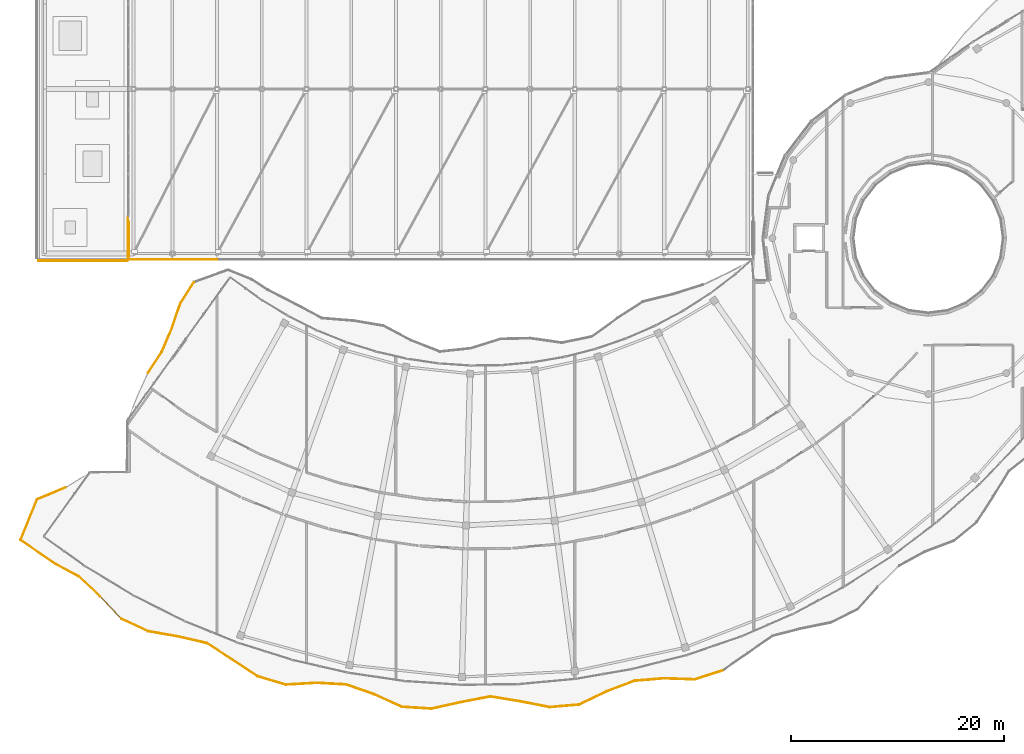
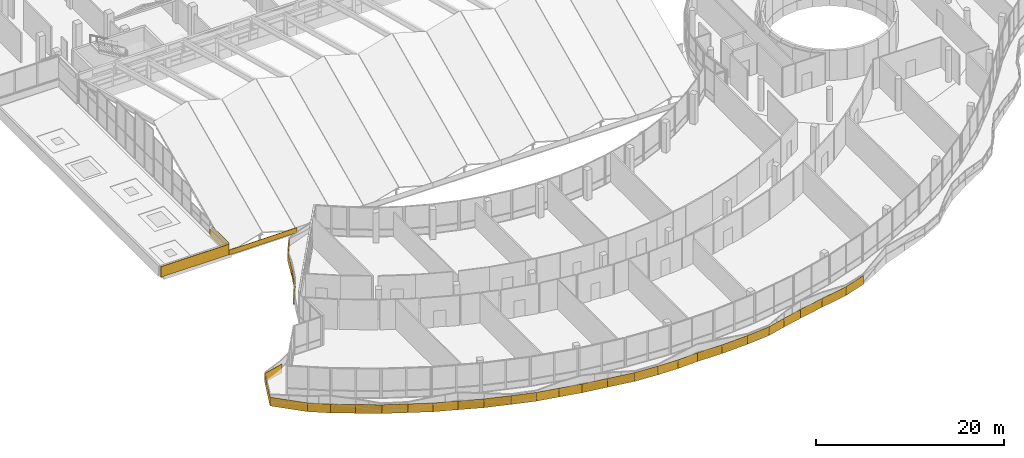
# One storey, part 174 of 184: 35 coverings.
"""IFC4 building model written with IfcOpenShell, lengths in metres."""

from ifc_helpers import new_model, si_unit, direction, frame, origin, origin_2d, place, context, subcontext, project, spatial, polyline, rectangle, outline, extrude, material, layer, layer_set, type_object, element, save


model = new_model("IFC4")

# Units and contexts
model_context = context("Model", 3, precision=1e-05, world=origin(), true_north=direction((0.0, 1.0)))
body_context = subcontext(model_context, "Body", "Model", "MODEL_VIEW")
ifc_project = project(units=[si_unit("LENGTHUNIT", "METRE"), si_unit("AREAUNIT", "SQUARE_METRE"), si_unit("VOLUMEUNIT", "CUBIC_METRE"), si_unit("PLANEANGLEUNIT", "RADIAN"), si_unit("MASSUNIT", "GRAM", prefix="KILO")], contexts=[model_context])

# Site, building, storey
site_placement = place(None, origin())
site = spatial("IfcSite", under=ifc_project, at=site_placement, CompositionType="ELEMENT")
building_placement = place(site_placement, origin())
building = spatial("IfcBuilding", under=site, at=building_placement, Name="Selatvlak General Hospital", CompositionType="ELEMENT")
storey_placement = place(building_placement, frame((0.0, 0.0, 15.0)))
storey = spatial("IfcBuildingStorey", under=building, at=storey_placement, Name="L03", CompositionType="ELEMENT", Elevation=15.0)

# Coverings
ifc_material_1 = material(Name="PVDF aluminium fascia - cobalt blue", Category="aluminium")
ifc_layer_1 = layer(ifc_material_1, 0.070068359375, Name="PVDF aluminium fascia - cobalt blue", Category="aluminium")
ifc_layer_set_1 = layer_set([ifc_layer_1], Name="PVDF aluminium fascia - cobalt blue")
covering_type_1 = type_object("IfcCoveringType", Name="COV-RB-BLU", PredefinedType="CLADDING", material=ifc_layer_set_1)
covering_1_placement = place(storey_placement, frame((29.028076171875, 49.85400390625, -0.216064453125), z_axis=(0.0, 0.0, 1.0), x_axis=(-0.539895278686, -0.841732194972, 0.0)))
element("IfcCovering", 1, at=covering_1_placement, inside=storey, type_object=covering_type_1, Name="L03 De Stijl waving fascia streamer 304", PredefinedType="CLADDING", context=body_context, shape_type="SweptSolid", body=[
    extrude(outline(polyline([(0.0, 0.0), (2.36181640625, -0.0869140625), (2.36181640625, 1.052978515625), (0.0, 1.139892578125), (0.0, 0.0)])), frame((0.0, 0.03515625, 0.0), z_axis=(0.0, -1.0, 0.0), x_axis=(1.0, 0.0, 0.0)), (0.0, 0.0, 1.0), 0.070068359375),
])
covering_2_placement = place(storey_placement, frame((27.7529296875, 47.865966796875, -0.302978515625), z_axis=(0.0, 0.0, 1.0), x_axis=(-0.322641646085, -0.94652119269, 0.0)))
element("IfcCovering", 2, at=covering_2_placement, inside=storey, type_object=covering_type_1, Name="L03 De Stijl waving fascia streamer 305", PredefinedType="CLADDING", context=body_context, shape_type="SweptSolid", body=[
    extrude(outline(polyline([(0.0, 0.0), (2.4638671875, -0.498046875), (2.4638671875, 0.641845703125), (0.0, 1.139892578125), (0.0, 0.0)])), frame((0.0, 0.03515625, 0.0), z_axis=(0.0, -1.0, 0.0), x_axis=(1.0, 0.0, 0.0)), (0.0, 0.0, 1.0), 0.070068359375),
])
covering_3_placement = place(storey_placement, frame((26.9580078125, 45.533935546875, -0.801025390625), z_axis=(0.0, 0.0, 1.0), x_axis=(-0.392772622845, -0.919635616287, 0.0)))
element("IfcCovering", 3, at=covering_3_placement, inside=storey, type_object=covering_type_1, Name="L03 De Stijl waving fascia streamer 306", PredefinedType="CLADDING", context=body_context, shape_type="SweptSolid", body=[
    extrude(outline(polyline([(0.0, 0.0), (2.416015625, -0.365966796875), (2.416015625, 0.77392578125), (0.0, 1.139892578125), (0.0, 0.0)])), frame((0.0, 0.03515625, 0.0), z_axis=(0.0, -1.0, 0.0), x_axis=(1.0, 0.0, 0.0)), (0.0, 0.0, 1.0), 0.070068359375),
])
covering_4_placement = place(storey_placement, frame((26.009033203125, 43.31201171875, -1.1669921875), z_axis=(0.0, 0.0, 1.0), x_axis=(-0.554556879303, -0.832145821126, 0.0)))
element("IfcCovering", 4, at=covering_4_placement, inside=storey, type_object=covering_type_1, Name="L03 De Stijl waving fascia streamer 307", PredefinedType="CLADDING", context=body_context, shape_type="SweptSolid", body=[
    extrude(outline(polyline([(0.0, 0.0), (2.35888671875, 0.238037109375), (2.35888671875, 1.3779296875), (0.0, 1.139892578125), (0.0, 0.0)])), frame((0.0, 0.03515625, 0.0), z_axis=(0.0, -1.0, 0.0), x_axis=(1.0, 0.0, 0.0)), (0.0, 0.0, 1.0), 0.070068359375),
])
covering_5_placement = place(storey_placement, frame((16.987060546875, 30.58203125, -0.60693359375), z_axis=(0.0, 0.0, 1.0), x_axis=(-0.922465971311, -0.386078401072, 0.0)))
element("IfcCovering", 5, at=covering_5_placement, inside=storey, type_object=covering_type_1, Name="L03 De Stijl waving fascia streamer 308", PredefinedType="CLADDING", context=body_context, shape_type="SweptSolid", body=[
    extrude(outline(polyline([(0.0, 0.0), (2.913818359375, 0.4228515625), (2.913818359375, 1.562744140625), (0.0, 1.139892578125), (0.0, 0.0)])), frame((0.0, 0.03515625, 0.0), z_axis=(0.0, -1.0, 0.0), x_axis=(1.0, 0.0, 0.0)), (0.0, 0.0, 1.0), 0.070068359375),
])
covering_6_placement = place(storey_placement, frame((14.301025390625, 29.462890625, -0.18408203125), z_axis=(0.0, 0.0, 1.0), x_axis=(-0.378055982976, -0.925782735708, 0.0)))
element("IfcCovering", 6, at=covering_6_placement, inside=storey, type_object=covering_type_1, Name="L03 De Stijl waving fascia streamer 309", PredefinedType="CLADDING", context=body_context, shape_type="SweptSolid", body=[
    extrude(outline(polyline([(0.0, 0.0), (4.136962890625, -0.239990234375), (4.136962890625, 0.89990234375), (0.0, 1.139892578125), (0.0, 0.0)])), frame((0.0, 0.03515625, 0.0), z_axis=(0.0, -1.0, 0.0), x_axis=(1.0, 0.0, 0.0)), (0.0, 0.0, 1.0), 0.070068359375),
])
covering_7_placement = place(storey_placement, frame((12.735107421875, 25.64306640625, -0.424072265625), z_axis=(0.0, 0.0, 1.0), x_axis=(0.823929377746, -0.566692491998, 0.0)))
element("IfcCovering", 7, at=covering_7_placement, inside=storey, type_object=covering_type_1, Name="L03 De Stijl waving fascia streamer 310", PredefinedType="CLADDING", context=body_context, shape_type="SweptSolid", body=[
    extrude(outline(polyline([(0.0, 0.0), (3.988037109375, -0.52685546875), (3.988037109375, 0.613037109375), (0.0, 1.139892578125), (0.0, 0.0)])), frame((0.0, 0.03515625, 0.0), z_axis=(0.0, -1.0, 0.0), x_axis=(1.0, 0.0, 0.0)), (0.0, 0.0, 1.0), 0.070068359375),
])
covering_8_placement = place(storey_placement, frame((16.01708984375, 23.387939453125, -0.950927734375), z_axis=(0.0, 0.0, 1.0), x_axis=(0.883589368079, -0.468262563759, 0.0)))
element("IfcCovering", 8, at=covering_8_placement, inside=storey, type_object=covering_type_1, Name="L03 De Stijl waving fascia streamer 311", PredefinedType="CLADDING", context=body_context, shape_type="SweptSolid", body=[
    extrude(outline(polyline([(0.0, 0.0), (2.45361328125, -0.22607421875), (2.45361328125, 0.913818359375), (0.0, 1.139892578125), (0.0, 0.0)])), frame((0.0, 0.03515625, 0.0), z_axis=(0.0, -1.0, 0.0), x_axis=(1.0, 0.0, 0.0)), (0.0, 0.0, 1.0), 0.070068359375),
])
covering_9_placement = place(storey_placement, frame((18.18505859375, 22.239990234375, -1.177001953125), z_axis=(0.0, 0.0, 1.0), x_axis=(0.732506044616, -0.680760526618, 0.0)))
element("IfcCovering", 9, at=covering_9_placement, inside=storey, type_object=covering_type_1, Name="L03 De Stijl waving fascia streamer 312", PredefinedType="CLADDING", context=body_context, shape_type="SweptSolid", body=[
    extrude(outline(polyline([(0.0, 0.0), (2.78369140625, 0.39306640625), (2.78369140625, 1.532958984375), (0.0, 1.139892578125), (0.0, 0.0)])), frame((0.0, 0.03515625, 0.0), z_axis=(0.0, -1.0, 0.0), x_axis=(1.0, 0.0, 0.0)), (0.0, 0.0, 1.0), 0.070068359375),
])
covering_10_placement = place(storey_placement, frame((20.22412109375, 20.344970703125, -0.783935546875), z_axis=(0.0, 0.0, 1.0), x_axis=(0.687256550298, -0.726414781012, 0.0)))
element("IfcCovering", 10, at=covering_10_placement, inside=storey, type_object=covering_type_1, Name="L03 De Stijl waving fascia streamer 313", PredefinedType="CLADDING", context=body_context, shape_type="SweptSolid", body=[
    extrude(outline(polyline([(0.0, 0.0), (2.88671875, 0.534912109375), (2.88671875, 1.6748046875), (0.0, 1.139892578125), (0.0, 0.0)])), frame((0.0, 0.03515625, 0.0), z_axis=(0.0, -1.0, 0.0), x_axis=(1.0, 0.0, 0.0)), (0.0, 0.0, 1.0), 0.070068359375),
])
covering_11_placement = place(storey_placement, frame((22.20703125, 18.248046875, -0.2490234375), z_axis=(0.0, 0.0, 1.0), x_axis=(0.905974573941, -0.423332105294, 0.0)))
element("IfcCovering", 11, at=covering_11_placement, inside=storey, type_object=covering_type_1, Name="L03 De Stijl waving fascia streamer 314", PredefinedType="CLADDING", context=body_context, shape_type="SweptSolid", body=[
    extrude(outline(polyline([(0.0, 0.0), (2.78271484375, -0.053955078125), (2.78271484375, 1.0859375), (0.0, 1.139892578125), (0.0, 0.0)])), frame((0.0, 0.03515625, 0.0), z_axis=(0.0, -1.0, 0.0), x_axis=(1.0, 0.0, 0.0)), (0.0, 0.0, 1.0), 0.070068359375),
])
covering_12_placement = place(storey_placement, frame((24.72705078125, 17.071044921875, -0.302978515625), z_axis=(0.0, 0.0, 1.0), x_axis=(0.984955497983, -0.172808179765, 0.0)))
element("IfcCovering", 12, at=covering_12_placement, inside=storey, type_object=covering_type_1, Name="L03 De Stijl waving fascia streamer 315", PredefinedType="CLADDING", context=body_context, shape_type="SweptSolid", body=[
    extrude(outline(polyline([(0.0, 0.0), (2.865234375, -0.570068359375), (2.865234375, 0.56982421875), (0.0, 1.139892578125), (0.0, 0.0)])), frame((0.0, 0.03515625, 0.0), z_axis=(0.0, -1.0, 0.0), x_axis=(1.0, 0.0, 0.0)), (0.0, 0.0, 1.0), 0.070068359375),
])
covering_13_placement = place(storey_placement, frame((27.549072265625, 16.575927734375, -0.873046875), z_axis=(0.0, 0.0, 1.0), x_axis=(0.974497621148, -0.224397830599, 0.0)))
element("IfcCovering", 13, at=covering_13_placement, inside=storey, type_object=covering_type_1, Name="L03 De Stijl waving fascia streamer 316", PredefinedType="CLADDING", context=body_context, shape_type="SweptSolid", body=[
    extrude(outline(polyline([(0.0, 0.0), (2.78076171875, -0.305908203125), (2.78076171875, 0.833984375), (0.0, 1.139892578125), (0.0, 0.0)])), frame((0.0, 0.03515625, 0.0), z_axis=(0.0, -1.0, 0.0), x_axis=(1.0, 0.0, 0.0)), (0.0, 0.0, 1.0), 0.070068359375),
])
covering_14_placement = place(storey_placement, frame((30.258056640625, 15.951904296875, -1.178955078125), z_axis=(0.0, 0.0, 1.0), x_axis=(0.837281087821, -0.546772694981, 0.0)))
element("IfcCovering", 14, at=covering_14_placement, inside=storey, type_object=covering_type_1, Name="L03 De Stijl waving fascia streamer 317", PredefinedType="CLADDING", context=body_context, shape_type="SweptSolid", body=[
    extrude(outline(polyline([(0.0, 0.0), (2.8017578125, 0.3759765625), (2.8017578125, 1.515869140625), (0.0, 1.139892578125), (0.0, 0.0)])), frame((0.0, 0.03515625, 0.0), z_axis=(0.0, -1.0, 0.0), x_axis=(1.0, 0.0, 0.0)), (0.0, 0.0, 1.0), 0.070068359375),
])
covering_15_placement = place(storey_placement, frame((32.60400390625, 14.419921875, -0.802978515625), z_axis=(0.0, 0.0, 1.0), x_axis=(0.834577212024, -0.550890984833, 0.0)))
element("IfcCovering", 15, at=covering_15_placement, inside=storey, type_object=covering_type_1, Name="L03 De Stijl waving fascia streamer 318", PredefinedType="CLADDING", context=body_context, shape_type="SweptSolid", body=[
    extrude(outline(polyline([(0.0, 0.0), (2.85888671875, 0.5439453125), (2.85888671875, 1.683837890625), (0.0, 1.139892578125), (0.0, 0.0)])), frame((0.0, 0.03515625, 0.0), z_axis=(0.0, -1.0, 0.0), x_axis=(1.0, 0.0, 0.0)), (0.0, 0.0, 1.0), 0.070068359375),
])
covering_16_placement = place(storey_placement, frame((34.989013671875, 12.844970703125, -0.259033203125), z_axis=(0.0, 0.0, 1.0), x_axis=(0.958730722558, -0.284315672489, 0.0)))
element("IfcCovering", 16, at=covering_16_placement, inside=storey, type_object=covering_type_1, Name="L03 De Stijl waving fascia streamer 319", PredefinedType="CLADDING", context=body_context, shape_type="SweptSolid", body=[
    extrude(outline(polyline([(0.0, 0.0), (2.77880859375, -0.031982421875), (2.77880859375, 1.10791015625), (0.0, 1.139892578125), (0.0, 0.0)])), frame((0.0, 0.03515625, 0.0), z_axis=(0.0, -1.0, 0.0), x_axis=(1.0, 0.0, 0.0)), (0.0, 0.0, 1.0), 0.070068359375),
])
covering_17_placement = place(storey_placement, frame((37.653076171875, 12.055908203125, -0.291015625), z_axis=(0.0, 0.0, 1.0), x_axis=(0.998334621474, 0.057688677966, 0.0)))
element("IfcCovering", 17, at=covering_17_placement, inside=storey, type_object=covering_type_1, Name="L03 De Stijl waving fascia streamer 320", PredefinedType="CLADDING", context=body_context, shape_type="SweptSolid", body=[
    extrude(outline(polyline([(0.0, 0.0), (2.894775390625, -0.56298828125), (2.894775390625, 0.576904296875), (0.0, 1.139892578125), (0.0, 0.0)])), frame((0.0, 0.03515625, 0.0), z_axis=(0.0, -1.0, 0.0), x_axis=(1.0, 0.0, 0.0)), (0.0, 0.0, 1.0), 0.070068359375),
])
covering_18_placement = place(storey_placement, frame((40.5419921875, 12.222900390625, -0.85400390625), z_axis=(0.0, 0.0, 1.0), x_axis=(0.998456281415, -0.055543263337, 0.0)))
element("IfcCovering", 18, at=covering_18_placement, inside=storey, type_object=covering_type_1, Name="L03 De Stijl waving fascia streamer 321", PredefinedType="CLADDING", context=body_context, shape_type="SweptSolid", body=[
    extrude(outline(polyline([(0.0, 0.0), (2.769287109375, -0.325927734375), (2.769287109375, 0.81396484375), (0.0, 1.139892578125), (0.0, 0.0)])), frame((0.0, 0.03515625, 0.0), z_axis=(0.0, -1.0, 0.0), x_axis=(1.0, 0.0, 0.0)), (0.0, 0.0, 1.0), 0.070068359375),
])
covering_19_placement = place(storey_placement, frame((43.305908203125, 12.069091796875, -1.179931640625), z_axis=(0.0, 0.0, 1.0), x_axis=(0.944998616611, -0.327074325809, 0.0)))
element("IfcCovering", 19, at=covering_19_placement, inside=storey, type_object=covering_type_1, Name="L03 De Stijl waving fascia streamer 322", PredefinedType="CLADDING", context=body_context, shape_type="SweptSolid", body=[
    extrude(outline(polyline([(0.0, 0.0), (2.77685546875, 0.35791015625), (2.77685546875, 1.497802734375), (0.0, 1.139892578125), (0.0, 0.0)])), frame((0.0, 0.03515625, 0.0), z_axis=(0.0, -1.0, 0.0), x_axis=(1.0, 0.0, 0.0)), (0.0, 0.0, 1.0), 0.070068359375),
])
covering_20_placement = place(storey_placement, frame((45.929931640625, 11.160888671875, -0.822021484375), z_axis=(0.0, 0.0, 1.0), x_axis=(0.911505442559, -0.411288011235, 0.0)))
element("IfcCovering", 20, at=covering_20_placement, inside=storey, type_object=covering_type_1, Name="L03 De Stijl waving fascia streamer 323", PredefinedType="CLADDING", context=body_context, shape_type="SweptSolid", body=[
    extrude(outline(polyline([(0.0, 0.0), (2.890869140625, 0.552001953125), (2.890869140625, 1.69189453125), (0.0, 1.139892578125), (0.0, 0.0)])), frame((0.0, 0.03515625, 0.0), z_axis=(0.0, -1.0, 0.0), x_axis=(1.0, 0.0, 0.0)), (0.0, 0.0, 1.0), 0.070068359375),
])
covering_21_placement = place(storey_placement, frame((48.56396484375, 9.971923828125, -0.27001953125), z_axis=(0.0, 0.0, 1.0), x_axis=(0.997992656191, -0.063329757535, 0.0)))
element("IfcCovering", 21, at=covering_21_placement, inside=storey, type_object=covering_type_1, Name="L03 De Stijl waving fascia streamer 324", PredefinedType="CLADDING", context=body_context, shape_type="SweptSolid", body=[
    extrude(outline(polyline([(0.0, 0.0), (2.779541015625, -0.009033203125), (2.779541015625, 1.130859375), (0.0, 1.139892578125), (0.0, 0.0)])), frame((0.0, 0.03515625, 0.0), z_axis=(0.0, -1.0, 0.0), x_axis=(1.0, 0.0, 0.0)), (0.0, 0.0, 1.0), 0.070068359375),
])
covering_22_placement = place(storey_placement, frame((51.337890625, 9.7958984375, -0.279052734375), z_axis=(0.0, 0.0, 1.0), x_axis=(0.976335313658, 0.216262237351, 0.0)))
element("IfcCovering", 22, at=covering_22_placement, inside=storey, type_object=covering_type_1, Name="L03 De Stijl waving fascia streamer 325", PredefinedType="CLADDING", context=body_context, shape_type="SweptSolid", body=[
    extrude(outline(polyline([(0.0, 0.0), (2.863037109375, -0.556884765625), (2.863037109375, 0.5830078125), (0.0, 1.139892578125), (0.0, 0.0)])), frame((0.0, 0.03515625, 0.0), z_axis=(0.0, -1.0, 0.0), x_axis=(1.0, 0.0, 0.0)), (0.0, 0.0, 1.0), 0.070068359375),
])
covering_23_placement = place(storey_placement, frame((54.132080078125, 10.4150390625, -0.8359375), z_axis=(0.0, 0.0, 1.0), x_axis=(0.981889649216, 0.189453732513, 0.0)))
element("IfcCovering", 23, at=covering_23_placement, inside=storey, type_object=covering_type_1, Name="L03 De Stijl waving fascia streamer 326", PredefinedType="CLADDING", context=body_context, shape_type="SweptSolid", body=[
    extrude(outline(polyline([(0.0, 0.0), (2.79248046875, -0.343994140625), (2.79248046875, 0.7958984375), (0.0, 1.139892578125), (0.0, 0.0)])), frame((0.0, 0.03515625, 0.0), z_axis=(0.0, -1.0, 0.0), x_axis=(1.0, 0.0, 0.0)), (0.0, 0.0, 1.0), 0.070068359375),
])
covering_24_placement = place(storey_placement, frame((56.8740234375, 10.944091796875, -1.179931640625), z_axis=(0.0, 0.0, 1.0), x_axis=(0.986732256925, -0.16235594582, 0.0)))
element("IfcCovering", 24, at=covering_24_placement, inside=storey, type_object=covering_type_1, Name="L03 De Stijl waving fascia streamer 327", PredefinedType="CLADDING", context=body_context, shape_type="SweptSolid", body=[
    extrude(outline(polyline([(0.0, 0.0), (2.791015625, 0.33984375), (2.791015625, 1.479736328125), (0.0, 1.139892578125), (0.0, 0.0)])), frame((0.0, 0.03515625, 0.0), z_axis=(0.0, -1.0, 0.0), x_axis=(1.0, 0.0, 0.0)), (0.0, 0.0, 1.0), 0.070068359375),
])
covering_25_placement = place(storey_placement, frame((59.626953125, 10.490966796875, -0.840087890625), z_axis=(0.0, 0.0, 1.0), x_axis=(0.981452666672, -0.191704624574, 0.0)))
element("IfcCovering", 25, at=covering_25_placement, inside=storey, type_object=covering_type_1, Name="L03 De Stijl waving fascia streamer 328", PredefinedType="CLADDING", context=body_context, shape_type="SweptSolid", body=[
    extrude(outline(polyline([(0.0, 0.0), (2.8642578125, 0.55908203125), (2.8642578125, 1.698974609375), (0.0, 1.139892578125), (0.0, 0.0)])), frame((0.0, 0.03515625, 0.0), z_axis=(0.0, -1.0, 0.0), x_axis=(1.0, 0.0, 0.0)), (0.0, 0.0, 1.0), 0.070068359375),
])
covering_26_placement = place(storey_placement, frame((62.43701171875, 9.94189453125, -0.281005859375), z_axis=(0.0, 0.0, 1.0), x_axis=(0.996330625832, 0.085587873144, 0.0)))
element("IfcCovering", 26, at=covering_26_placement, inside=storey, type_object=covering_type_1, Name="L03 De Stijl waving fascia streamer 329", PredefinedType="CLADDING", context=body_context, shape_type="SweptSolid", body=[
    extrude(outline(polyline([(0.0, 0.0), (2.78125, 0.012939453125), (2.78125, 1.15283203125), (0.0, 1.139892578125), (0.0, 0.0)])), frame((0.0, 0.03515625, 0.0), z_axis=(0.0, -1.0, 0.0), x_axis=(1.0, 0.0, 0.0)), (0.0, 0.0, 1.0), 0.070068359375),
])
covering_27_placement = place(storey_placement, frame((65.2080078125, 10.179931640625, -0.26806640625), z_axis=(0.0, 0.0, 1.0), x_axis=(0.900819415036, 0.434193944562, 0.0)))
element("IfcCovering", 27, at=covering_27_placement, inside=storey, type_object=covering_type_1, Name="L03 De Stijl waving fascia streamer 330", PredefinedType="CLADDING", context=body_context, shape_type="SweptSolid", body=[
    extrude(outline(polyline([(0.0, 0.0), (2.890625, -0.550048828125), (2.890625, 0.58984375), (0.0, 1.139892578125), (0.0, 0.0)])), frame((0.0, 0.03515625, 0.0), z_axis=(0.0, -1.0, 0.0), x_axis=(1.0, 0.0, 0.0)), (0.0, 0.0, 1.0), 0.070068359375),
])
covering_28_placement = place(storey_placement, frame((67.81103515625, 11.43505859375, -0.818115234375), z_axis=(0.0, 0.0, 1.0), x_axis=(0.935528274463, 0.353251819076, 0.0)))
element("IfcCovering", 28, at=covering_28_placement, inside=storey, type_object=covering_type_1, Name="L03 De Stijl waving fascia streamer 331", PredefinedType="CLADDING", context=body_context, shape_type="SweptSolid", body=[
    extrude(outline(polyline([(0.0, 0.0), (2.77685546875, -0.36181640625), (2.77685546875, 0.778076171875), (0.0, 1.139892578125), (0.0, 0.0)])), frame((0.0, 0.03515625, 0.0), z_axis=(0.0, -1.0, 0.0), x_axis=(1.0, 0.0, 0.0)), (0.0, 0.0, 1.0), 0.070068359375),
])
covering_29_placement = place(storey_placement, frame((70.408935546875, 12.416015625, -1.179931640625), z_axis=(0.0, 0.0, 1.0), x_axis=(0.996565819846, 0.082804388255, 0.0)))
element("IfcCovering", 29, at=covering_29_placement, inside=storey, type_object=covering_type_1, Name="L03 De Stijl waving fascia streamer 332", PredefinedType="CLADDING", context=body_context, shape_type="SweptSolid", body=[
    extrude(outline(polyline([(0.0, 0.0), (2.765625, 0.321044921875), (2.765625, 1.4609375), (0.0, 1.139892578125), (0.0, 0.0)])), frame((0.0, 0.03515625, 0.0), z_axis=(0.0, -1.0, 0.0), x_axis=(1.0, 0.0, 0.0)), (0.0, 0.0, 1.0), 0.070068359375),
])
covering_30_placement = place(storey_placement, frame((73.1640625, 12.64404296875, -0.85888671875), z_axis=(0.0, 0.0, 1.0), x_axis=(0.999450045707, -0.033160309663, 0.0)))
element("IfcCovering", 30, at=covering_30_placement, inside=storey, type_object=covering_type_1, Name="L03 De Stijl waving fascia streamer 333", PredefinedType="CLADDING", context=body_context, shape_type="SweptSolid", body=[
    extrude(outline(polyline([(0.0, 0.0), (2.8935546875, 0.56494140625), (2.8935546875, 1.704833984375), (0.0, 1.139892578125), (0.0, 0.0)])), frame((0.0, 0.03515625, 0.0), z_axis=(0.0, -1.0, 0.0), x_axis=(1.0, 0.0, 0.0)), (0.0, 0.0, 1.0), 0.070068359375),
])
covering_31_placement = place(storey_placement, frame((76.054931640625, 12.548095703125, -0.2939453125), z_axis=(0.0, 0.0, 1.0), x_axis=(0.952161829295, 0.305594258508, 0.0)))
element("IfcCovering", 31, at=covering_31_placement, inside=storey, type_object=covering_type_1, Name="L03 De Stijl waving fascia streamer 334", PredefinedType="CLADDING", context=body_context, shape_type="SweptSolid", body=[
    extrude(outline(polyline([(0.0, 0.0), (2.781005859375, 0.036865234375), (2.781005859375, 1.1767578125), (0.0, 1.139892578125), (0.0, 0.0)])), frame((0.0, 0.03515625, 0.0), z_axis=(0.0, -1.0, 0.0), x_axis=(1.0, 0.0, 0.0)), (0.0, 0.0, 1.0), 0.070068359375),
])
ifc_material_2 = material(Name="White Bauhaus fair-faced cladding panel")
ifc_layer_2 = layer(ifc_material_2, 0.054931640625, Name="White Bauhaus fair-faced cladding panel")
ifc_layer_set_2 = layer_set([ifc_layer_2], Name="White Bauhaus fair-faced cladding panel")
covering_type_2 = type_object("IfcCoveringType", Name="COV-WHT1", PredefinedType="CLADDING", material=ifc_layer_set_2)
covering_32_placement = place(storey_placement, frame((27.0, 51.969970703125, -0.300048828125), z_axis=(0.0, 0.0, 1.0), x_axis=(1.0, 0.0, 0.0)))
element("IfcCovering", 32, at=covering_32_placement, inside=storey, type_object=covering_type_2, Name="L03 Concourse hall south eaves white fascia 0570", PredefinedType="CLADDING", context=body_context, shape_type="SweptSolid", body=[
    extrude(rectangle(XDim=8.39990234375, YDim=0.054931640625, at=origin_2d()), origin(), (0.0, 0.0, 1.0), 0.64990234375),
])
covering_33_placement = place(storey_placement, frame((22.840087890625, 54.0, -0.25), z_axis=(0.0, 0.0, 1.0), x_axis=(0.0, 1.0, 0.0)))
element("IfcCovering", 33, at=covering_33_placement, inside=storey, type_object=covering_type_2, Name="L03 Concourse hall gable eaves fascia 0577", PredefinedType="CLADDING", context=body_context, shape_type="SweptSolid", body=[
    extrude(rectangle(XDim=4.0, YDim=0.054931640625, at=origin_2d()), origin(), (0.0, 0.0, 1.0), 0.89990234375),
])
covering_34_placement = place(storey_placement, frame((18.597900390625, 51.875, -0.170166015625), z_axis=(0.0, 0.0, 1.0), x_axis=(-1.0, 0.0, 0.0)))
element("IfcCovering", 34, at=covering_34_placement, inside=storey, type_object=covering_type_2, Name="L03 Roof parapet white Bauhaus coping 0641", PredefinedType="CLADDING", context=body_context, shape_type="SweptSolid", body=[
    extrude(rectangle(XDim=8.39501953125, YDim=0.054931640625, at=origin_2d()), origin(), (0.0, 0.0, 1.0), 1.3701171875),
])
covering_35_placement = place(storey_placement, frame((22.919921875, 53.824951171875, -0.170166015625), z_axis=(0.0, 0.0, 1.0), x_axis=(0.0, -1.0, 0.0)))
element("IfcCovering", 35, at=covering_35_placement, inside=storey, type_object=covering_type_2, Name="L03 Roof parapet white Bauhaus coping 0643", PredefinedType="CLADDING", context=body_context, shape_type="SweptSolid", body=[
    extrude(rectangle(XDim=3.43505859375, YDim=0.054931640625, at=origin_2d()), origin(), (0.0, 0.0, 1.0), 1.3701171875),
])

save(model, "model.ifc")
